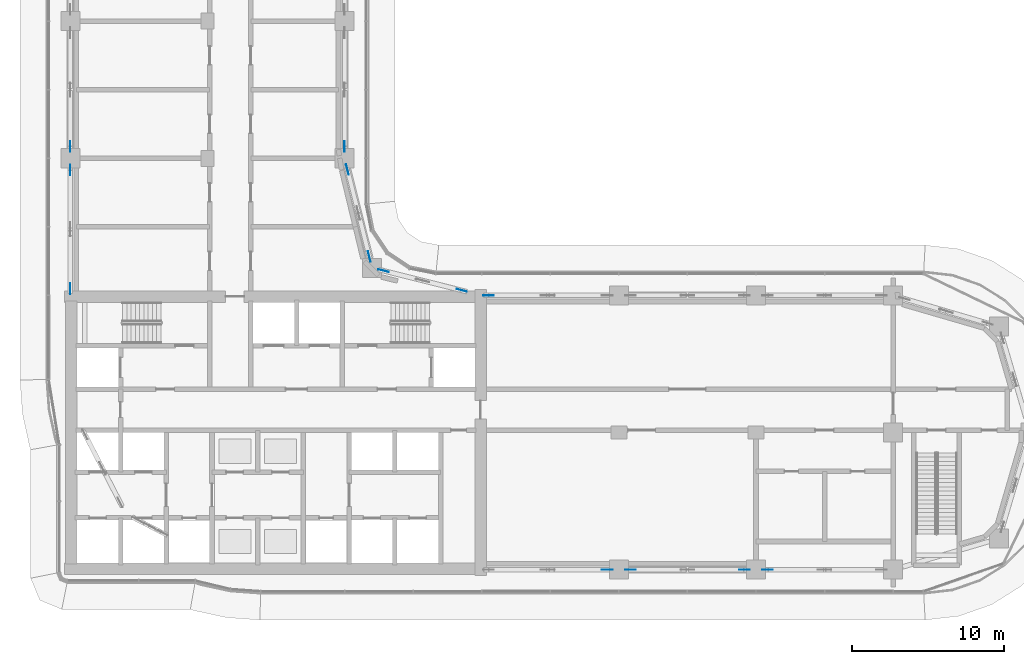
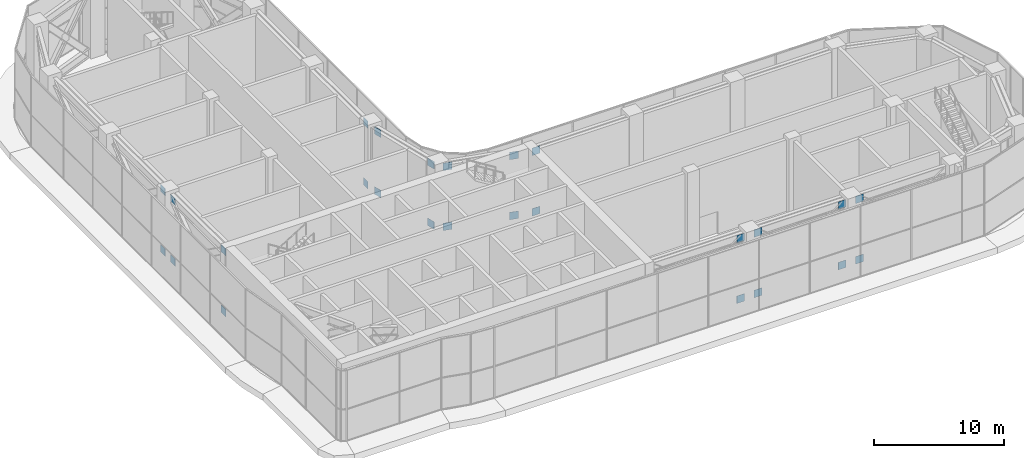
# One storey, part 23 of 35: 26 discrete accessories.
"""IFC4 building model written with IfcOpenShell, lengths in metres."""

from ifc_helpers import new_model, si_unit, direction, frame, origin, origin_2d, place, context, subcontext, project, spatial, rectangle, extrude, material, layer, layer_set, type_object, element, save


model = new_model("IFC4")

# Units and contexts
model_context = context("Model", 3, precision=1e-05, world=origin(), true_north=direction((0.0, 1.0)))
body_context = subcontext(model_context, "Body", "Model", "MODEL_VIEW")
ifc_project = project(units=[si_unit("LENGTHUNIT", "METRE"), si_unit("AREAUNIT", "SQUARE_METRE"), si_unit("VOLUMEUNIT", "CUBIC_METRE"), si_unit("PLANEANGLEUNIT", "RADIAN"), si_unit("MASSUNIT", "GRAM", prefix="KILO")], contexts=[model_context])

# Site, building, storey
site_placement = place(None, origin())
site = spatial("IfcSite", under=ifc_project, at=site_placement, CompositionType="ELEMENT")
building_placement = place(site_placement, origin())
building = spatial("IfcBuilding", under=site, at=building_placement, Name="Ogive Portal Towers", CompositionType="ELEMENT")
storey_placement = place(building_placement, frame((0.0, 0.0, 135.199951171875)))
storey = spatial("IfcBuildingStorey", under=building, at=storey_placement, Name="L33", CompositionType="ELEMENT", Elevation=135.199951171875)

# Discrete accessories
ifc_material = material(Name="Steel S355", Category="steel")
ifc_layer = layer(ifc_material, 0.02001953125)
ifc_layer_set = layer_set([ifc_layer], Name="GUSSET PLATE 700x700x20")
discrete_accessory_type = type_object("IfcDiscreteAccessoryType", Name="GUSSET PLATE 700x700x20", PredefinedType="BRACKET", material=ifc_layer_set)
for number, where, z_axis, x_axis, name in (
    (1, (66.733642578125, 21.5, 5.83984375), (0.0, 0.0, 1.0), (1.0, 0.0, 0.0), "Gusset plate"),
    (2, (66.733642578125, 21.5, 0.16015625), (0.0, 0.0, 1.0), (1.0, 0.0, 0.0), "Gusset plate"),
    (3, (68.264404296875, 21.5, 5.83740234375), (0.0, 0.0, 1.0), (1.0, 0.0, 0.0), "Gusset plate"),
    (4, (75.735595703125, 21.5, 0.1630859375), (0.0, 0.0, 1.0), (1.0, 0.0, 0.0), "Gusset plate"),
    (5, (68.264404296875, 21.5, 0.1630859375), (0.0, 0.0, 1.0), (1.0, 0.0, 0.0), "Gusset plate"),
    (6, (75.735595703125, 21.5, 5.83740234375), (0.0, 0.0, 1.0), (1.0, 0.0, 0.0), "Gusset plate"),
    (7, (77.264404296875, 21.5, 0.1630859375), (0.0, 0.0, 1.0), (1.0, 0.0, 0.0), "Gusset plate"),
    (8, (77.264404296875, 21.5, 5.83740234375), (0.0, 0.0, 1.0), (1.0, 0.0, 0.0), "Gusset plate"),
    (9, (58.94140625, 39.5, 0.16015625), (0.0, 0.0, 1.0), (-1.0, 0.0, 0.0), "Gusset plate"),
    (10, (58.94140625, 39.5, 5.83984375), (0.0, 0.0, 1.0), (-1.0, 0.0, 0.0), "Gusset plate"),
    (11, (57.19189453125, 39.829345703125, 0.1845703125), (0.0, 0.0, 1.0), (-0.969744325821, 0.244122802168, 0.0), "Gusset plate"),
    (12, (52.05126953125, 41.123291015625, 5.8154296875), (0.0, 0.0, 1.0), (-0.969744325821, 0.244122802168, 0.0), "Gusset plate"),
    (13, (57.19189453125, 39.829345703125, 5.8154296875), (0.0, 0.0, 1.0), (-0.96974858642, 0.2441058769, 0.0), "Gusset plate"),
    (14, (52.05126953125, 41.123291015625, 0.1845703125), (0.0, 0.0, 1.0), (-0.969740064926, 0.244139727362, 0.0), "Gusset plate"),
    (15, (51.121826171875, 42.057373046875, 5.82177734375), (0.0, 0.0, 1.0), (-0.244139727362, 0.969740064926, 0.0), "Gusset plate"),
    (16, (49.68798828125, 47.752685546875, 0.17822265625), (0.0, 0.0, 1.0), (-0.244139727362, 0.969740064926, 0.0), "Gusset plate"),
    (17, (51.121826171875, 42.057373046875, 0.17822265625), (0.0, 0.0, 1.0), (-0.244139727362, 0.969740064926, 0.0), "Gusset plate"),
    (18, (49.68798828125, 47.752685546875, 5.82177734375), (0.0, 0.0, 1.0), (-0.244139727362, 0.969740064926, 0.0), "Gusset plate"),
    (19, (49.5, 49.264404296875, 0.1630859375), (0.0, 0.0, 1.0), (0.0, 1.0, 0.0), "Gusset plate"),
    (20, (49.5, 49.264404296875, 5.83740234375), (0.0, 0.0, 1.0), (0.0, 1.0, 0.0), "Gusset plate"),
    (21, (31.5, 49.264404296875, 0.1630859375), (0.0, 0.0, 1.0), (0.0, -1.0, 0.0), "Gusset plate"),
    (22, (31.5, 49.264404296875, 5.83740234375), (0.0, 0.0, 1.0), (0.0, -1.0, 0.0), "Gusset plate"),
    (23, (31.5, 47.733642578125, 0.16015625), (0.0, 0.0, 1.0), (0.0, -1.0, 0.0), "Gusset plate"),
    (24, (31.5, 39.94140625, 5.83984375), (0.0, 0.0, 1.0), (0.0, -1.0, 0.0), "Gusset plate"),
    (25, (31.5, 47.733642578125, 5.83984375), (0.0, 0.0, 1.0), (0.0, -1.0, 0.0), "Gusset plate"),
    (26, (31.5, 39.94140625, 0.16015625), (0.0, 0.0, 1.0), (0.0, -1.0, 0.0), "Gusset plate"),
):
    element("IfcDiscreteAccessory", number, at=place(storey_placement, frame(where, z_axis=z_axis, x_axis=x_axis)), inside=storey, type_object=discrete_accessory_type, Name=name, PredefinedType="BRACKET", context=body_context, shape_type="SweptSolid", body=[
        extrude(rectangle(XDim=0.699951171875, YDim=0.02001953125, at=origin_2d()), origin(), (0.0, 0.0, 1.0), 0.699951171875),
    ])

save(model, "model.ifc")
